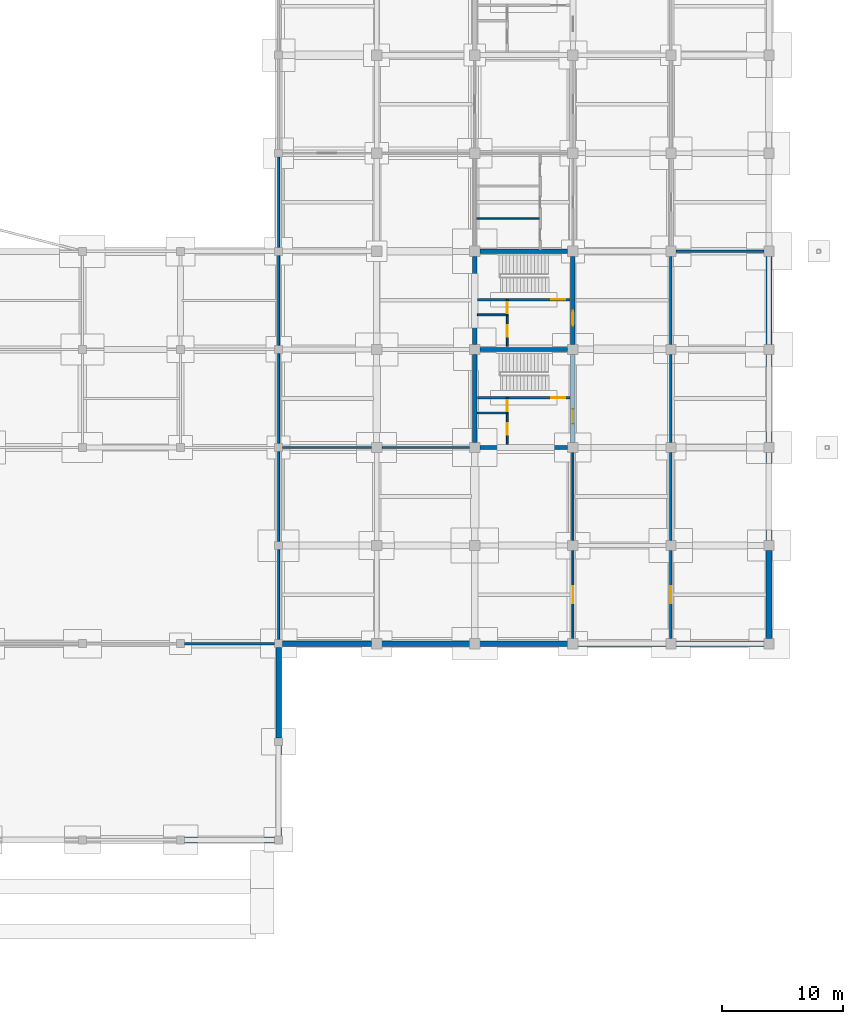
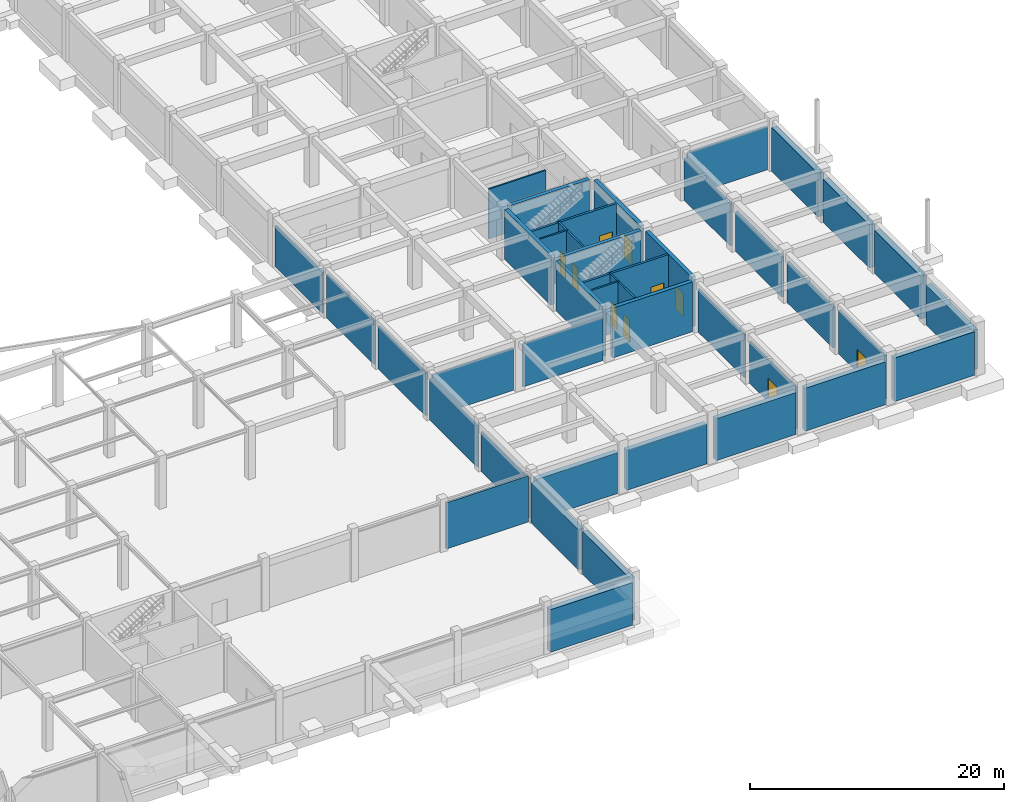
# One storey, part 51 of 67: 43 walls, 10 doors, 10 openings.
"""IFC4 building model written with IfcOpenShell, lengths in metres."""

from ifc_helpers import new_model, si_unit, direction, frame, frame_2d, origin, place, context, subcontext, project, spatial, rectangle, extrude, material, layer, layer_set, type_object, element, fill, save


model = new_model("IFC4")

# Units and contexts
model_context = context("Model", 3, precision=1e-05, world=origin(), true_north=direction((0.0, 1.0)))
body_context = subcontext(model_context, "Body", "Model", "MODEL_VIEW")
ifc_project = project(units=[si_unit("LENGTHUNIT", "METRE"), si_unit("AREAUNIT", "SQUARE_METRE"), si_unit("VOLUMEUNIT", "CUBIC_METRE"), si_unit("PLANEANGLEUNIT", "RADIAN"), si_unit("MASSUNIT", "GRAM", prefix="KILO")], contexts=[model_context])

# Site, building, storey
site_placement = place(None, origin())
site = spatial("IfcSite", under=ifc_project, at=site_placement, CompositionType="ELEMENT")
building_placement = place(site_placement, origin())
building = spatial("IfcBuilding", under=site, at=building_placement, Name="Vaudrelin Polytechnic", CompositionType="ELEMENT")
storey_placement = place(building_placement, frame((0.0, 0.0, -5.10009765625)))
storey = spatial("IfcBuildingStorey", under=building, at=storey_placement, Name="B1", CompositionType="ELEMENT", Elevation=-5.10009765625)

# Wall
ifc_material_1 = material(Name="Concrete masonry unit 20 MPa shaft & corridor fire wall", Category="masonry")
ifc_layer_1 = layer(ifc_material_1, 0.199951171875)
ifc_layer_set_1 = layer_set([ifc_layer_1], Name="Concrete masonry unit 20 MPa shaft & corridor fire wall")
wall_type_1 = type_object("IfcWallType", Name="WAL-PW-FIRE120", PredefinedType="PARTITIONING", material=ifc_layer_set_1)
wall_1_placement = place(storey_placement, frame((121.822998046875, 16.199951171875, 0.0), z_axis=(0.0, 0.0, 1.0), x_axis=(1.0, 0.0, 0.0)))
element("IfcWall", 1, at=wall_1_placement, inside=storey, type_object=wall_type_1, Name="Partition B1-018 N", PredefinedType="PARTITIONING", context=body_context, shape_type="SweptSolid", body=[
    extrude(rectangle(XDim=7.4541015625, YDim=0.199951171875, at=frame_2d((3.72705078125, 0.0))), origin(), (0.0, 0.0, 1.0), 4.425048828125),
])

# Wall, opening, door
wall_2_placement = place(storey_placement, frame((162.0, 16.623046875, 0.0), z_axis=(0.0, 0.0, 1.0), x_axis=(0.0, 1.0, 0.0)))
wall_2 = element("IfcWall", 2, at=wall_2_placement, inside=storey, type_object=wall_type_1, Name="Partition B1-026 W", PredefinedType="PARTITIONING", context=body_context, shape_type="SweptSolid", body=[
    extrude(rectangle(XDim=7.25390625, YDim=0.199951171875, at=frame_2d((3.626953125, 0.0))), origin(), (0.0, 0.0, 1.0), 4.18212890625),
])
opening_1_placement = place(wall_2_placement, frame((2.927001953125, 0.0, 0.0)))
opening_1 = element("IfcOpeningElement", 3, at=opening_1_placement, cuts=wall_2, Name="Opening D-B1-412", PredefinedType="OPENING", context=body_context, shape_type="SweptSolid", body=[
    extrude(rectangle(XDim=1.39990234375, YDim=2.199951171875, at=frame_2d((0.699951171875, 1.10009765625))), frame((0.0, 0.10986328125, 0.0), z_axis=(0.0, -1.0, 0.0), x_axis=(1.0, 0.0, 0.0)), (0.0, 0.0, 1.0), 0.219970703125),
])
ifc_material_2 = material(Name="Pressed galvanised steel acoustic leaf", Category="steel")
door_type_1 = type_object("IfcDoorType", Name="DOR-ID-PLT1", OperationType="NOTDEFINED", PredefinedType="DOOR", material=ifc_material_2)
door_1_placement = place(opening_1_placement, origin())
door_1 = element("IfcDoor", 4, at=door_1_placement, inside=storey, type_object=door_type_1, Name="Central Laboratory Gas and Reagent Store door B1-026", OperationType="DOUBLE_SWING_LEFT", OverallHeight=2.199951171875, OverallWidth=1.39990234375, PredefinedType="DOOR", context=body_context, shape_type="SweptSolid", body=[
    extrude(rectangle(XDim=1.39990234375, YDim=2.199951171875, at=frame_2d((0.699951171875, 1.10009765625))), frame((0.0, 0.02490234375, 0.0), z_axis=(0.0, -1.0, 0.0), x_axis=(1.0, 0.0, 0.0)), (0.0, 0.0, 1.0), 0.050048828125),
])
fill(opening_1, door_1)

# Walls
wall_3_placement = place(storey_placement, frame((162.0, 24.722900390625, 0.0), z_axis=(0.0, 0.0, 1.0), x_axis=(0.0, 1.0, 0.0)))
element("IfcWall", 5, at=wall_3_placement, inside=storey, type_object=wall_type_1, Name="Partition B1-026 W", PredefinedType="PARTITIONING", context=body_context, shape_type="SweptSolid", body=[
    extrude(rectangle(XDim=7.254150390625, YDim=0.199951171875, at=frame_2d((3.626953125, 0.0))), origin(), (0.0, 0.0, 1.0), 3.93212890625),
])
wall_4_placement = place(storey_placement, frame((162.0, 32.822998046875, 0.0), z_axis=(0.0, 0.0, 1.0), x_axis=(0.0, 1.0, 0.0)))
element("IfcWall", 6, at=wall_4_placement, inside=storey, type_object=wall_type_1, Name="Partition B1-026 W", PredefinedType="PARTITIONING", context=body_context, shape_type="SweptSolid", body=[
    extrude(rectangle(XDim=7.25390625, YDim=0.199951171875, at=frame_2d((3.626953125, 0.0))), origin(), (0.0, 0.0, 1.0), 3.83203125),
])
wall_5_placement = place(storey_placement, frame((162.0, 40.923095703125, 0.0), z_axis=(0.0, 0.0, 1.0), x_axis=(0.0, 1.0, 0.0)))
element("IfcWall", 7, at=wall_5_placement, inside=storey, type_object=wall_type_1, Name="Partition B1-026 W", PredefinedType="PARTITIONING", context=body_context, shape_type="SweptSolid", body=[
    extrude(rectangle(XDim=7.25390625, YDim=0.199951171875, at=frame_2d((3.626953125, 0.0))), origin(), (0.0, 0.0, 1.0), 4.031982421875),
])
wall_6_placement = place(storey_placement, frame((162.423095703125, 48.60009765625, 0.0), z_axis=(0.0, 0.0, 1.0), x_axis=(1.0, 0.0, 0.0)))
element("IfcWall", 8, at=wall_6_placement, inside=storey, type_object=wall_type_1, Name="Partition B1-026 N", PredefinedType="PARTITIONING", context=body_context, shape_type="SweptSolid", body=[
    extrude(rectangle(XDim=7.25390625, YDim=0.199951171875, at=frame_2d((3.626953125, 0.0))), origin(), (0.0, 0.0, 1.0), 4.132080078125),
])

# Wall, opening, door
ifc_material_3 = material(Name="Fire-rated steel-stud gypsum compartment wall", Category="steel")
ifc_layer_2 = layer(ifc_material_3, 0.14990234375)
ifc_layer_set_2 = layer_set([ifc_layer_2], Name="Fire-rated steel-stud gypsum compartment wall")
wall_type_2 = type_object("IfcWallType", Name="WAL-PW-FIRE60", PredefinedType="PARTITIONING", material=ifc_layer_set_2)
wall_7_placement = place(storey_placement, frame((148.47998046875, 35.25, 0.0), z_axis=(0.0, 0.0, 1.0), x_axis=(0.0, 1.0, 0.0)))
wall_7 = element("IfcWall", 9, at=wall_7_placement, inside=storey, type_object=wall_type_2, Name="Core C8 riser enclosure wall B1", PredefinedType="PARTITIONING", context=body_context, shape_type="SweptSolid", body=[
    extrude(rectangle(XDim=1.260009765625, YDim=0.14990234375, at=frame_2d((0.6298828125, 0.0))), origin(), (0.0, 0.0, 1.0), 4.781982421875),
])
opening_2_placement = place(wall_7_placement, frame((0.139892578125, 0.0, 0.0)))
opening_2 = element("IfcOpeningElement", 10, at=opening_2_placement, cuts=wall_7, Name="Opening D-B1-140", PredefinedType="OPENING", context=body_context, shape_type="SweptSolid", body=[
    extrude(rectangle(XDim=0.89990234375, YDim=2.14990234375, at=frame_2d((0.449951171875, 1.074951171875))), frame((0.0, 0.0849609375, 0.0), z_axis=(0.0, -1.0, 0.0), x_axis=(1.0, 0.0, 0.0)), (0.0, 0.0, 1.0), 0.169921875),
])
door_type_2 = type_object("IfcDoorType", Name="DOR-ID-RSR1", OperationType="NOTDEFINED", PredefinedType="DOOR", material=ifc_material_2)
door_2_placement = place(opening_2_placement, origin())
door_2 = element("IfcDoor", 11, at=door_2_placement, inside=storey, type_object=door_type_2, Name="Core C8 riser access door B1", OperationType="SINGLE_SWING_RIGHT", OverallHeight=2.14990234375, OverallWidth=0.89990234375, PredefinedType="DOOR", context=body_context, shape_type="SweptSolid", body=[
    extrude(rectangle(XDim=0.89990234375, YDim=2.14990234375, at=frame_2d((0.449951171875, 1.074951171875))), frame((0.0, 0.02490234375, 0.0), z_axis=(0.0, -1.0, 0.0), x_axis=(1.0, 0.0, 0.0)), (0.0, 0.0, 1.0), 0.050048828125),
])
fill(opening_2, door_2)

# Wall
wall_8_placement = place(storey_placement, frame((146.02001953125, 35.25, 0.0), z_axis=(0.0, 0.0, 1.0), x_axis=(1.0, 0.0, 0.0)))
element("IfcWall", 12, at=wall_8_placement, inside=storey, type_object=wall_type_2, Name="Core C8 riser south fire wall B1", PredefinedType="PARTITIONING", context=body_context, shape_type="SweptSolid", body=[
    extrude(rectangle(XDim=2.530029296875, YDim=0.14990234375, at=frame_2d((1.26513671875, 0.0))), origin(), (0.0, 0.0, 1.0), 4.781982421875),
])

# Wall, opening, door
wall_9_placement = place(storey_placement, frame((148.47998046875, 32.64990234375, 0.0), z_axis=(0.0, 0.0, 1.0), x_axis=(0.0, 1.0, 0.0)))
wall_9 = element("IfcWall", 13, at=wall_9_placement, inside=storey, type_object=wall_type_2, Name="Core C8 custodial enclosure wall B1", PredefinedType="PARTITIONING", context=body_context, shape_type="SweptSolid", body=[
    extrude(rectangle(XDim=2.60009765625, YDim=0.14990234375, at=frame_2d((1.300048828125, 0.0))), origin(), (0.0, 0.0, 1.0), 4.781982421875),
])
opening_3_placement = place(wall_9_placement, frame((0.800048828125, 0.0, 0.0)))
opening_3 = element("IfcOpeningElement", 14, at=opening_3_placement, cuts=wall_9, Name="Opening D-B1-141", PredefinedType="OPENING", context=body_context, shape_type="SweptSolid", body=[
    extrude(rectangle(XDim=0.949951171875, YDim=2.14990234375, at=frame_2d((0.47509765625, 1.074951171875))), frame((0.0, 0.0849609375, 0.0), z_axis=(0.0, -1.0, 0.0), x_axis=(1.0, 0.0, 0.0)), (0.0, 0.0, 1.0), 0.169921875),
])
door_type_3 = type_object("IfcDoorType", Name="DOR-ID-STR1", OperationType="NOTDEFINED", PredefinedType="DOOR", material=ifc_material_2)
door_3_placement = place(opening_3_placement, origin())
door_3 = element("IfcDoor", 15, at=door_3_placement, inside=storey, type_object=door_type_3, Name="Core C8 custodial door B1", OperationType="SINGLE_SWING_RIGHT", OverallHeight=2.14990234375, OverallWidth=0.949951171875, PredefinedType="DOOR", context=body_context, shape_type="SweptSolid", body=[
    extrude(rectangle(XDim=0.949951171875, YDim=2.14990234375, at=frame_2d((0.47509765625, 1.074951171875))), frame((0.0, 0.02490234375, 0.0), z_axis=(0.0, -1.0, 0.0), x_axis=(1.0, 0.0, 0.0)), (0.0, 0.0, 1.0), 0.050048828125),
])
fill(opening_3, door_3)

wall_10_placement = place(storey_placement, frame((148.47998046875, 43.35009765625, 0.0), z_axis=(0.0, 0.0, 1.0), x_axis=(0.0, 1.0, 0.0)))
wall_10 = element("IfcWall", 16, at=wall_10_placement, inside=storey, type_object=wall_type_2, Name="Core C12 riser enclosure wall B1", PredefinedType="PARTITIONING", context=body_context, shape_type="SweptSolid", body=[
    extrude(rectangle(XDim=1.260009765625, YDim=0.14990234375, at=frame_2d((0.6298828125, 0.0))), origin(), (0.0, 0.0, 1.0), 4.781982421875),
])
opening_4_placement = place(wall_10_placement, frame((0.139892578125, 0.0, 0.0)))
opening_4 = element("IfcOpeningElement", 17, at=opening_4_placement, cuts=wall_10, Name="Opening D-B1-263", PredefinedType="OPENING", context=body_context, shape_type="SweptSolid", body=[
    extrude(rectangle(XDim=0.89990234375, YDim=2.14990234375, at=frame_2d((0.449951171875, 1.074951171875))), frame((0.0, 0.0849609375, 0.0), z_axis=(0.0, -1.0, 0.0), x_axis=(1.0, 0.0, 0.0)), (0.0, 0.0, 1.0), 0.169921875),
])
door_4_placement = place(opening_4_placement, origin())
door_4 = element("IfcDoor", 18, at=door_4_placement, inside=storey, type_object=door_type_2, Name="Core C12 riser access door B1", OperationType="SINGLE_SWING_RIGHT", OverallHeight=2.14990234375, OverallWidth=0.89990234375, PredefinedType="DOOR", context=body_context, shape_type="SweptSolid", body=[
    extrude(rectangle(XDim=0.89990234375, YDim=2.14990234375, at=frame_2d((0.449951171875, 1.074951171875))), frame((0.0, 0.02490234375, 0.0), z_axis=(0.0, -1.0, 0.0), x_axis=(1.0, 0.0, 0.0)), (0.0, 0.0, 1.0), 0.050048828125),
])
fill(opening_4, door_4)

# Wall
wall_11_placement = place(storey_placement, frame((146.02001953125, 43.35009765625, 0.0), z_axis=(0.0, 0.0, 1.0), x_axis=(1.0, 0.0, 0.0)))
element("IfcWall", 19, at=wall_11_placement, inside=storey, type_object=wall_type_2, Name="Core C12 riser south fire wall B1", PredefinedType="PARTITIONING", context=body_context, shape_type="SweptSolid", body=[
    extrude(rectangle(XDim=2.530029296875, YDim=0.14990234375, at=frame_2d((1.26513671875, 0.0))), origin(), (0.0, 0.0, 1.0), 4.781982421875),
])

# Wall, opening, door
wall_12_placement = place(storey_placement, frame((148.47998046875, 40.75, 0.0), z_axis=(0.0, 0.0, 1.0), x_axis=(0.0, 1.0, 0.0)))
wall_12 = element("IfcWall", 20, at=wall_12_placement, inside=storey, type_object=wall_type_2, Name="Core C12 custodial enclosure wall B1", PredefinedType="PARTITIONING", context=body_context, shape_type="SweptSolid", body=[
    extrude(rectangle(XDim=2.60009765625, YDim=0.14990234375, at=frame_2d((1.300048828125, 0.0))), origin(), (0.0, 0.0, 1.0), 4.781982421875),
])
opening_5_placement = place(wall_12_placement, frame((0.800048828125, 0.0, 0.0)))
opening_5 = element("IfcOpeningElement", 21, at=opening_5_placement, cuts=wall_12, Name="Opening D-B1-264", PredefinedType="OPENING", context=body_context, shape_type="SweptSolid", body=[
    extrude(rectangle(XDim=0.949951171875, YDim=2.14990234375, at=frame_2d((0.47509765625, 1.074951171875))), frame((0.0, 0.0849609375, 0.0), z_axis=(0.0, -1.0, 0.0), x_axis=(1.0, 0.0, 0.0)), (0.0, 0.0, 1.0), 0.169921875),
])
door_5_placement = place(opening_5_placement, origin())
door_5 = element("IfcDoor", 22, at=door_5_placement, inside=storey, type_object=door_type_3, Name="Core C12 custodial door B1", OperationType="SINGLE_SWING_RIGHT", OverallHeight=2.14990234375, OverallWidth=0.949951171875, PredefinedType="DOOR", context=body_context, shape_type="SweptSolid", body=[
    extrude(rectangle(XDim=0.949951171875, YDim=2.14990234375, at=frame_2d((0.47509765625, 1.074951171875))), frame((0.0, 0.02490234375, 0.0), z_axis=(0.0, -1.0, 0.0), x_axis=(1.0, 0.0, 0.0)), (0.0, 0.0, 1.0), 0.050048828125),
])
fill(opening_5, door_5)

ifc_material_4 = material(Name="Moisture- and chemical-resistant laboratory partition", Category="gypsum")
ifc_layer_3 = layer(ifc_material_4, 0.159912109375)
ifc_layer_set_3 = layer_set([ifc_layer_3], Name="Moisture- and chemical-resistant laboratory partition")
wall_type_3 = type_object("IfcWallType", Name="WAL-PW-LAB160", PredefinedType="PARTITIONING", material=ifc_layer_set_3)
wall_13_placement = place(storey_placement, frame((153.89990234375, 16.623046875, 0.0), z_axis=(0.0, 0.0, 1.0), x_axis=(0.0, 1.0, 0.0)))
wall_13 = element("IfcWall", 23, at=wall_13_placement, inside=storey, type_object=wall_type_3, Name="Partition B1-019 E", PredefinedType="PARTITIONING", context=body_context, shape_type="SweptSolid", body=[
    extrude(rectangle(XDim=7.25390625, YDim=0.159912109375, at=frame_2d((3.626953125, 0.0))), origin(), (0.0, 0.0, 1.0), 4.031982421875),
])
opening_6_placement = place(wall_13_placement, frame((2.9169921875, 0.0, 0.0)))
opening_6 = element("IfcOpeningElement", 24, at=opening_6_placement, cuts=wall_13, Name="Opening D-B1-406", PredefinedType="OPENING", context=body_context, shape_type="SweptSolid", body=[
    extrude(rectangle(XDim=1.419921875, YDim=2.25, at=frame_2d((0.7099609375, 1.125))), frame((0.0, 0.08984375, 0.0), z_axis=(0.0, -1.0, 0.0), x_axis=(1.0, 0.0, 0.0)), (0.0, 0.0, 1.0), 0.179931640625),
])
door_type_4 = type_object("IfcDoorType", Name="DOR-ID-LAB4", OperationType="NOTDEFINED", PredefinedType="DOOR", material=ifc_material_2)
door_6_placement = place(opening_6_placement, origin())
door_6 = element("IfcDoor", 25, at=door_6_placement, inside=storey, type_object=door_type_4, Name="Hydraulic Flume Basement Basin Laboratory door B1-019", OperationType="DOUBLE_SWING_LEFT", OverallHeight=2.25, OverallWidth=1.419921875, PredefinedType="DOOR", context=body_context, shape_type="SweptSolid", body=[
    extrude(rectangle(XDim=1.419921875, YDim=2.25, at=frame_2d((0.7099609375, 1.125))), frame((0.0, 0.02490234375, 0.0), z_axis=(0.0, -1.0, 0.0), x_axis=(1.0, 0.0, 0.0)), (0.0, 0.0, 1.0), 0.050048828125),
])
fill(opening_6, door_6)

# Walls
wall_14_placement = place(storey_placement, frame((153.89990234375, 24.722900390625, 0.0), z_axis=(0.0, 0.0, 1.0), x_axis=(0.0, 1.0, 0.0)))
element("IfcWall", 26, at=wall_14_placement, inside=storey, type_object=wall_type_3, Name="Partition B1-019 E", PredefinedType="PARTITIONING", context=body_context, shape_type="SweptSolid", body=[
    extrude(rectangle(XDim=7.254150390625, YDim=0.159912109375, at=frame_2d((3.626953125, 0.0))), origin(), (0.0, 0.0, 1.0), 4.132080078125),
])
wall_15_placement = place(storey_placement, frame((129.923095703125, 32.39990234375, 0.0), z_axis=(0.0, 0.0, 1.0), x_axis=(1.0, 0.0, 0.0)))
element("IfcWall", 27, at=wall_15_placement, inside=storey, type_object=wall_type_3, Name="Partition B1-019 N", PredefinedType="PARTITIONING", context=body_context, shape_type="SweptSolid", body=[
    extrude(rectangle(XDim=7.35400390625, YDim=0.159912109375, at=frame_2d((3.677001953125, 0.0))), origin(), (0.0, 0.0, 1.0), 4.031982421875),
])
wall_16_placement = place(storey_placement, frame((138.123046875, 32.39990234375, 0.0), z_axis=(0.0, 0.0, 1.0), x_axis=(1.0, 0.0, 0.0)))
element("IfcWall", 28, at=wall_16_placement, inside=storey, type_object=wall_type_3, Name="Partition B1-019 N", PredefinedType="PARTITIONING", context=body_context, shape_type="SweptSolid", body=[
    extrude(rectangle(XDim=7.25390625, YDim=0.159912109375, at=frame_2d((3.626953125, 0.0))), origin(), (0.0, 0.0, 1.0), 4.132080078125),
])
wall_17_placement = place(storey_placement, frame((129.60009765625, 16.52294921875, 0.0), z_axis=(0.0, 0.0, 1.0), x_axis=(0.0, 1.0, 0.0)))
element("IfcWall", 29, at=wall_17_placement, inside=storey, type_object=wall_type_3, Name="Partition B1-019 W", PredefinedType="PARTITIONING", context=body_context, shape_type="SweptSolid", body=[
    extrude(rectangle(XDim=7.4541015625, YDim=0.159912109375, at=frame_2d((3.72705078125, 0.0))), origin(), (0.0, 0.0, 1.0), 3.7919921875),
])
wall_18_placement = place(storey_placement, frame((129.60009765625, 24.623046875, 0.0), z_axis=(0.0, 0.0, 1.0), x_axis=(0.0, 1.0, 0.0)))
element("IfcWall", 30, at=wall_18_placement, inside=storey, type_object=wall_type_3, Name="Partition B1-019 W", PredefinedType="PARTITIONING", context=body_context, shape_type="SweptSolid", body=[
    extrude(rectangle(XDim=7.453857421875, YDim=0.159912109375, at=frame_2d((3.72705078125, 0.0))), origin(), (0.0, 0.0, 1.0), 3.9921875),
])
wall_19_placement = place(storey_placement, frame((129.60009765625, 32.722900390625, 0.0), z_axis=(0.0, 0.0, 1.0), x_axis=(0.0, 1.0, 0.0)))
element("IfcWall", 31, at=wall_19_placement, inside=storey, type_object=wall_type_3, Name="Partition B1-020 W", PredefinedType="PARTITIONING", context=body_context, shape_type="SweptSolid", body=[
    extrude(rectangle(XDim=7.4541015625, YDim=0.159912109375, at=frame_2d((3.72705078125, 0.0))), origin(), (0.0, 0.0, 1.0), 4.132080078125),
])
wall_20_placement = place(storey_placement, frame((129.60009765625, 40.822998046875, 0.0), z_axis=(0.0, 0.0, 1.0), x_axis=(0.0, 1.0, 0.0)))
element("IfcWall", 32, at=wall_20_placement, inside=storey, type_object=wall_type_3, Name="Partition B1-020 W", PredefinedType="PARTITIONING", context=body_context, shape_type="SweptSolid", body=[
    extrude(rectangle(XDim=7.4541015625, YDim=0.159912109375, at=frame_2d((3.72705078125, 0.0))), origin(), (0.0, 0.0, 1.0), 4.18212890625),
])
wall_21_placement = place(storey_placement, frame((129.60009765625, 48.923095703125, 0.0), z_axis=(0.0, 0.0, 1.0), x_axis=(0.0, 1.0, 0.0)))
element("IfcWall", 33, at=wall_21_placement, inside=storey, type_object=wall_type_3, Name="Partition B1-020 W", PredefinedType="PARTITIONING", context=body_context, shape_type="SweptSolid", body=[
    extrude(rectangle(XDim=7.453857421875, YDim=0.159912109375, at=frame_2d((3.72705078125, 0.0))), origin(), (0.0, 0.0, 1.0), 3.93212890625),
])
ifc_material_5 = material(Name="Cement-board tiled wet-wall washroom partition", Category="gypsum")
ifc_layer_4 = layer(ifc_material_5, 0.139892578125)
ifc_layer_set_4 = layer_set([ifc_layer_4], Name="Cement-board tiled wet-wall washroom partition")
wall_type_4 = type_object("IfcWallType", Name="WAL-PW-WC140", PredefinedType="PARTITIONING", material=ifc_layer_set_4)
wall_22_placement = place(storey_placement, frame((145.949951171875, 51.300048828125, 0.0), z_axis=(0.0, 0.0, 1.0), x_axis=(1.0, 0.0, 0.0)))
element("IfcWall", 34, at=wall_22_placement, inside=storey, type_object=wall_type_4, Name="Washroom separation wall B1-18-6-1", PredefinedType="PARTITIONING", context=body_context, shape_type="SweptSolid", body=[
    extrude(rectangle(XDim=5.179931640625, YDim=0.139892578125, at=frame_2d((2.58984375, 0.0))), origin(), (0.0, 0.0, 1.0), 4.781982421875),
])

# Wall, opening, door
ifc_material_6 = material(Name="Concrete 40 MPa", Category="concrete")
ifc_layer_5 = layer(ifc_material_6, 0.199951171875)
ifc_layer_set_5 = layer_set([ifc_layer_5], Name="Concrete 40 MPa")
wall_type_5 = type_object("IfcWallType", Name="WAL-SW-CORE200", PredefinedType="SHEAR", material=ifc_layer_set_5)
wall_23_placement = place(storey_placement, frame((146.02001953125, 36.510009765625, 0.0), z_axis=(0.0, 0.0, 1.0), x_axis=(1.0, 0.0, 0.0)))
wall_23 = element("IfcWall", 35, at=wall_23_placement, inside=storey, type_object=wall_type_5, Name="Core C8 stair enclosure wall B1", PredefinedType="SHEAR", context=body_context, shape_type="SweptSolid", body=[
    extrude(rectangle(XDim=7.659912109375, YDim=0.199951171875, at=frame_2d((3.830078125, 0.0))), origin(), (0.0, 0.0, 1.0), 4.781982421875),
])
opening_7_placement = place(wall_23_placement, frame((6.110107421875, 0.0, 0.0)))
opening_7 = element("IfcOpeningElement", 36, at=opening_7_placement, cuts=wall_23, Name="Opening D-B1-139", PredefinedType="OPENING", context=body_context, shape_type="SweptSolid", body=[
    extrude(rectangle(XDim=1.14990234375, YDim=2.199951171875, at=frame_2d((0.574951171875, 1.10009765625))), frame((0.0, 0.10986328125, 0.0), z_axis=(0.0, -1.0, 0.0), x_axis=(1.0, 0.0, 0.0)), (0.0, 0.0, 1.0), 0.219970703125),
])
door_type_5 = type_object("IfcDoorType", Name="DOR-ID-ST1", OperationType="NOTDEFINED", PredefinedType="DOOR", material=ifc_material_2)
door_7_placement = place(opening_7_placement, origin())
door_7 = element("IfcDoor", 37, at=door_7_placement, inside=storey, type_object=door_type_5, Name="Core C8 exit stair door B1", OperationType="SINGLE_SWING_LEFT", OverallHeight=2.199951171875, OverallWidth=1.14990234375, PredefinedType="DOOR", context=body_context, shape_type="SweptSolid", body=[
    extrude(rectangle(XDim=1.14990234375, YDim=2.199951171875, at=frame_2d((0.574951171875, 1.10009765625))), frame((0.0, 0.02490234375, 0.0), z_axis=(0.0, -1.0, 0.0), x_axis=(1.0, 0.0, 0.0)), (0.0, 0.0, 1.0), 0.050048828125),
])
fill(opening_7, door_7)

wall_24_placement = place(storey_placement, frame((146.02001953125, 44.610107421875, 0.0), z_axis=(0.0, 0.0, 1.0), x_axis=(1.0, 0.0, 0.0)))
wall_24 = element("IfcWall", 38, at=wall_24_placement, inside=storey, type_object=wall_type_5, Name="Core C12 stair enclosure wall B1", PredefinedType="SHEAR", context=body_context, shape_type="SweptSolid", body=[
    extrude(rectangle(XDim=7.659912109375, YDim=0.199951171875, at=frame_2d((3.830078125, 0.0))), origin(), (0.0, 0.0, 1.0), 4.781982421875),
])
opening_8_placement = place(wall_24_placement, frame((6.110107421875, 0.0, 0.0)))
opening_8 = element("IfcOpeningElement", 39, at=opening_8_placement, cuts=wall_24, Name="Opening D-B1-262", PredefinedType="OPENING", context=body_context, shape_type="SweptSolid", body=[
    extrude(rectangle(XDim=1.14990234375, YDim=2.199951171875, at=frame_2d((0.574951171875, 1.10009765625))), frame((0.0, 0.10986328125, 0.0), z_axis=(0.0, -1.0, 0.0), x_axis=(1.0, 0.0, 0.0)), (0.0, 0.0, 1.0), 0.219970703125),
])
door_8_placement = place(opening_8_placement, origin())
door_8 = element("IfcDoor", 40, at=door_8_placement, inside=storey, type_object=door_type_5, Name="Core C12 exit stair door B1", OperationType="SINGLE_SWING_LEFT", OverallHeight=2.199951171875, OverallWidth=1.14990234375, PredefinedType="DOOR", context=body_context, shape_type="SweptSolid", body=[
    extrude(rectangle(XDim=1.14990234375, YDim=2.199951171875, at=frame_2d((0.574951171875, 1.10009765625))), frame((0.0, 0.02490234375, 0.0), z_axis=(0.0, -1.0, 0.0), x_axis=(1.0, 0.0, 0.0)), (0.0, 0.0, 1.0), 0.050048828125),
])
fill(opening_8, door_8)

# Walls
ifc_material_7 = material(Name="Concrete 50 MPa", Category="concrete")
ifc_layer_6 = layer(ifc_material_7, 0.35009765625)
ifc_layer_set_6 = layer_set([ifc_layer_6], Name="Concrete 50 MPa")
wall_type_6 = type_object("IfcWallType", Name="WAL-SW-CORE350", PredefinedType="SHEAR", material=ifc_layer_set_6)
wall_25_placement = place(storey_placement, frame((146.222900390625, 40.5, 0.0), z_axis=(0.0, 0.0, 1.0), x_axis=(1.0, 0.0, 0.0)))
element("IfcWall", 41, at=wall_25_placement, inside=storey, type_object=wall_type_6, Name="Core C8 N shear wall B1", PredefinedType="SHEAR", context=body_context, shape_type="SweptSolid", body=[
    extrude(rectangle(XDim=7.254150390625, YDim=0.35009765625, at=frame_2d((3.626953125, 0.0))), origin(), (0.0, 0.0, 1.0), 4.781982421875),
])
wall_26_placement = place(storey_placement, frame((145.800048828125, 32.822998046875, 0.0), z_axis=(0.0, 0.0, 1.0), x_axis=(0.0, 1.0, 0.0)))
element("IfcWall", 42, at=wall_26_placement, inside=storey, type_object=wall_type_6, Name="Core C8 W shear wall B1", PredefinedType="SHEAR", context=body_context, shape_type="SweptSolid", body=[
    extrude(rectangle(XDim=7.25390625, YDim=0.35009765625, at=frame_2d((3.626953125, 0.0))), origin(), (0.0, 0.0, 1.0), 4.781982421875),
])

# Wall, opening, door
wall_27_placement = place(storey_placement, frame((153.89990234375, 32.822998046875, 0.0), z_axis=(0.0, 0.0, 1.0), x_axis=(0.0, 1.0, 0.0)))
wall_27 = element("IfcWall", 43, at=wall_27_placement, inside=storey, type_object=wall_type_6, Name="Core C8 E shear wall B1", PredefinedType="SHEAR", context=body_context, shape_type="SweptSolid", body=[
    extrude(rectangle(XDim=7.25390625, YDim=0.35009765625, at=frame_2d((3.626953125, 0.0))), origin(), (0.0, 0.0, 1.0), 4.781982421875),
])
opening_9_placement = place(wall_27_placement, frame((1.550048828125, 0.0, 0.0)))
opening_9 = element("IfcOpeningElement", 44, at=opening_9_placement, cuts=wall_27, Name="Opening D-B1-138", PredefinedType="OPENING", context=body_context, shape_type="SweptSolid", body=[
    extrude(rectangle(XDim=1.199951171875, YDim=2.199951171875, at=frame_2d((0.60009765625, 1.10009765625))), frame((0.0, 0.18505859375, 0.0), z_axis=(0.0, -1.0, 0.0), x_axis=(1.0, 0.0, 0.0)), (0.0, 0.0, 1.0), 0.3701171875),
])
door_type_6 = type_object("IfcDoorType", Name="DOR-ID-LB1", OperationType="NOTDEFINED", PredefinedType="DOOR", material=ifc_material_2)
door_9_placement = place(opening_9_placement, origin())
door_9 = element("IfcDoor", 45, at=door_9_placement, inside=storey, type_object=door_type_6, Name="Core C8 lobby fire door B1", OperationType="SINGLE_SWING_RIGHT", OverallHeight=2.199951171875, OverallWidth=1.199951171875, PredefinedType="DOOR", context=body_context, shape_type="SweptSolid", body=[
    extrude(rectangle(XDim=1.199951171875, YDim=2.199951171875, at=frame_2d((0.60009765625, 1.10009765625))), frame((0.0, 0.02490234375, 0.0), z_axis=(0.0, -1.0, 0.0), x_axis=(1.0, 0.0, 0.0)), (0.0, 0.0, 1.0), 0.050048828125),
])
fill(opening_9, door_9)

# Walls
for number, where, z_axis, x_axis, name in (
    (46, (146.222900390625, 32.39990234375, 0.0), (0.0, 0.0, 1.0), (1.0, 0.0, 0.0), "Core C8 S shear wall B1"),
    (47, (146.222900390625, 48.60009765625, 0.0), (0.0, 0.0, 1.0), (1.0, 0.0, 0.0), "Core C12 N shear wall B1"),
):
    element("IfcWall", number, at=place(storey_placement, frame(where, z_axis=z_axis, x_axis=x_axis)), inside=storey, type_object=wall_type_6, Name=name, PredefinedType="SHEAR", context=body_context, shape_type="SweptSolid", body=[
        extrude(rectangle(XDim=7.254150390625, YDim=0.35009765625, at=frame_2d((3.626953125, 0.0))), origin(), (0.0, 0.0, 1.0), 4.781982421875),
    ])
wall_28_placement = place(storey_placement, frame((145.800048828125, 40.923095703125, 0.0), z_axis=(0.0, 0.0, 1.0), x_axis=(0.0, 1.0, 0.0)))
element("IfcWall", 48, at=wall_28_placement, inside=storey, type_object=wall_type_6, Name="Core C12 W shear wall B1", PredefinedType="SHEAR", context=body_context, shape_type="SweptSolid", body=[
    extrude(rectangle(XDim=7.25390625, YDim=0.35009765625, at=frame_2d((3.626953125, 0.0))), origin(), (0.0, 0.0, 1.0), 4.781982421875),
])

# Wall, opening, door
wall_29_placement = place(storey_placement, frame((153.89990234375, 40.923095703125, 0.0), z_axis=(0.0, 0.0, 1.0), x_axis=(0.0, 1.0, 0.0)))
wall_29 = element("IfcWall", 49, at=wall_29_placement, inside=storey, type_object=wall_type_6, Name="Core C12 E shear wall B1", PredefinedType="SHEAR", context=body_context, shape_type="SweptSolid", body=[
    extrude(rectangle(XDim=7.25390625, YDim=0.35009765625, at=frame_2d((3.626953125, 0.0))), origin(), (0.0, 0.0, 1.0), 4.781982421875),
])
opening_10_placement = place(wall_29_placement, frame((1.550048828125, 0.0, 0.0)))
opening_10 = element("IfcOpeningElement", 50, at=opening_10_placement, cuts=wall_29, Name="Opening D-B1-261", PredefinedType="OPENING", context=body_context, shape_type="SweptSolid", body=[
    extrude(rectangle(XDim=1.199951171875, YDim=2.199951171875, at=frame_2d((0.60009765625, 1.10009765625))), frame((0.0, 0.18505859375, 0.0), z_axis=(0.0, -1.0, 0.0), x_axis=(1.0, 0.0, 0.0)), (0.0, 0.0, 1.0), 0.3701171875),
])
door_10_placement = place(opening_10_placement, origin())
door_10 = element("IfcDoor", 51, at=door_10_placement, inside=storey, type_object=door_type_6, Name="Core C12 lobby fire door B1", OperationType="SINGLE_SWING_LEFT", OverallHeight=2.199951171875, OverallWidth=1.199951171875, PredefinedType="DOOR", context=body_context, shape_type="SweptSolid", body=[
    extrude(rectangle(XDim=1.199951171875, YDim=2.199951171875, at=frame_2d((0.60009765625, 1.10009765625))), frame((0.0, 0.02490234375, 0.0), z_axis=(0.0, -1.0, 0.0), x_axis=(1.0, 0.0, 0.0)), (0.0, 0.0, 1.0), 0.050048828125),
])
fill(opening_10, door_10)

# Walls
ifc_material_8 = material(Name="Concrete 35 MPa", Category="concrete")
ifc_layer_7 = layer(ifc_material_8, 0.449951171875)
ifc_layer_set_7 = layer_set([ifc_layer_7], Name="Concrete 35 MPa")
wall_type_7 = type_object("IfcWallType", Name="WAL-SW-RET450", PredefinedType="SOLIDWALL", material=ifc_layer_set_7)
wall_30_placement = place(storey_placement, frame((129.909912109375, 16.199951171875, 0.0), z_axis=(0.0, 0.0, 1.0), x_axis=(1.0, 0.0, 0.0)))
element("IfcWall", 52, at=wall_30_placement, inside=storey, type_object=wall_type_7, Name="Basement retaining wall RET-S-V4-1", PredefinedType="SOLIDWALL", context=body_context, shape_type="SweptSolid", body=[
    extrude(rectangle(XDim=7.380126953125, YDim=0.449951171875, at=frame_2d((3.68994140625, 0.0))), origin(), (0.0, 0.0, 1.0), 3.93017578125),
])
wall_31_placement = place(storey_placement, frame((138.110107421875, 16.199951171875, 0.0), z_axis=(0.0, 0.0, 1.0), x_axis=(1.0, 0.0, 0.0)))
element("IfcWall", 53, at=wall_31_placement, inside=storey, type_object=wall_type_7, Name="Basement retaining wall RET-S-V4-2", PredefinedType="SOLIDWALL", context=body_context, shape_type="SweptSolid", body=[
    extrude(rectangle(XDim=7.27978515625, YDim=0.449951171875, at=frame_2d((3.639892578125, 0.0))), origin(), (0.0, 0.0, 1.0), 3.830078125),
])
wall_32_placement = place(storey_placement, frame((146.2099609375, 16.199951171875, 0.0), z_axis=(0.0, 0.0, 1.0), x_axis=(1.0, 0.0, 0.0)))
element("IfcWall", 54, at=wall_32_placement, inside=storey, type_object=wall_type_7, Name="Basement retaining wall RET-S-V4-3", PredefinedType="SOLIDWALL", context=body_context, shape_type="SweptSolid", body=[
    extrude(rectangle(XDim=7.280029296875, YDim=0.449951171875, at=frame_2d((3.64013671875, 0.0))), origin(), (0.0, 0.0, 1.0), 4.030029296875),
])
wall_33_placement = place(storey_placement, frame((154.31005859375, 16.199951171875, 0.0), z_axis=(0.0, 0.0, 1.0), x_axis=(1.0, 0.0, 0.0)))
element("IfcWall", 55, at=wall_33_placement, inside=storey, type_object=wall_type_7, Name="Basement retaining wall RET-S-V4-4", PredefinedType="SOLIDWALL", context=body_context, shape_type="SweptSolid", body=[
    extrude(rectangle(XDim=7.280029296875, YDim=0.449951171875, at=frame_2d((3.64013671875, 0.0))), origin(), (0.0, 0.0, 1.0), 4.130126953125),
])
wall_34_placement = place(storey_placement, frame((162.409912109375, 16.199951171875, 0.0), z_axis=(0.0, 0.0, 1.0), x_axis=(1.0, 0.0, 0.0)))
element("IfcWall", 56, at=wall_34_placement, inside=storey, type_object=wall_type_7, Name="Basement retaining wall RET-S-V4-5", PredefinedType="SOLIDWALL", context=body_context, shape_type="SweptSolid", body=[
    extrude(rectangle(XDim=7.280029296875, YDim=0.449951171875, at=frame_2d((3.64013671875, 0.0))), origin(), (0.0, 0.0, 1.0), 4.18017578125),
])
wall_35_placement = place(storey_placement, frame((129.60009765625, 0.31005859375, 0.0), z_axis=(0.0, 0.0, 1.0), x_axis=(0.0, 1.0, 0.0)))
element("IfcWall", 57, at=wall_35_placement, inside=storey, type_object=wall_type_7, Name="Basement retaining wall RET-E-V3-1", PredefinedType="SOLIDWALL", context=body_context, shape_type="SweptSolid", body=[
    extrude(rectangle(XDim=7.47998046875, YDim=0.449951171875, at=frame_2d((3.739990234375, 0.0))), origin(), (0.0, 0.0, 1.0), 4.090087890625),
])
wall_36_placement = place(storey_placement, frame((129.60009765625, 8.409912109375, 0.0), z_axis=(0.0, 0.0, 1.0), x_axis=(0.0, 1.0, 0.0)))
element("IfcWall", 58, at=wall_36_placement, inside=storey, type_object=wall_type_7, Name="Basement retaining wall RET-E-V3-2", PredefinedType="SOLIDWALL", context=body_context, shape_type="SweptSolid", body=[
    extrude(rectangle(XDim=7.47998046875, YDim=0.449951171875, at=frame_2d((3.739990234375, 0.0))), origin(), (0.0, 0.0, 1.0), 3.89013671875),
])
ifc_layer_8 = layer(ifc_material_8, 0.5)
ifc_layer_set_8 = layer_set([ifc_layer_8], Name="Concrete 35 MPa")
wall_type_8 = type_object("IfcWallType", Name="WAL-SW-RET500", PredefinedType="SOLIDWALL", material=ifc_layer_set_8)
wall_37_placement = place(storey_placement, frame((170.10009765625, 16.610107421875, 0.0), z_axis=(0.0, 0.0, 1.0), x_axis=(0.0, 1.0, 0.0)))
element("IfcWall", 59, at=wall_37_placement, inside=storey, type_object=wall_type_8, Name="Basement retaining wall RET-E-V4-1", PredefinedType="SOLIDWALL", context=body_context, shape_type="SweptSolid", body=[
    extrude(rectangle(XDim=7.27978515625, YDim=0.5, at=frame_2d((3.639892578125, 0.0))), origin(), (0.0, 0.0, 1.0), 3.830078125),
])
for number, where, z_axis, x_axis, name in (
    (60, (170.10009765625, 24.7099609375, 0.0), (0.0, 0.0, 1.0), (0.0, 1.0, 0.0), "Basement retaining wall RET-E-V4-2"),
    (61, (170.10009765625, 32.81005859375, 0.0), (0.0, 0.0, 1.0), (0.0, 1.0, 0.0), "Basement retaining wall RET-E-V4-3"),
):
    element("IfcWall", number, at=place(storey_placement, frame(where, z_axis=z_axis, x_axis=x_axis)), inside=storey, type_object=wall_type_8, Name=name, PredefinedType="SOLIDWALL", context=body_context, shape_type="SweptSolid", body=[
        extrude(rectangle(XDim=7.280029296875, YDim=0.5, at=frame_2d((3.64013671875, 0.0))), origin(), (0.0, 0.0, 1.0), 4.130126953125),
    ])
wall_38_placement = place(storey_placement, frame((170.10009765625, 40.909912109375, 0.0), z_axis=(0.0, 0.0, 1.0), x_axis=(0.0, 1.0, 0.0)))
element("IfcWall", 62, at=wall_38_placement, inside=storey, type_object=wall_type_8, Name="Basement retaining wall RET-E-V4-4", PredefinedType="SOLIDWALL", context=body_context, shape_type="SweptSolid", body=[
    extrude(rectangle(XDim=7.280029296875, YDim=0.5, at=frame_2d((3.64013671875, 0.0))), origin(), (0.0, 0.0, 1.0), 4.18017578125),
])
wall_39_placement = place(storey_placement, frame((121.81005859375, 0.0, 0.0), z_axis=(0.0, 0.0, 1.0), x_axis=(1.0, 0.0, 0.0)))
element("IfcWall", 63, at=wall_39_placement, inside=storey, type_object=wall_type_8, Name="Basement retaining wall RET-S-V23-11", PredefinedType="SOLIDWALL", context=body_context, shape_type="SweptSolid", body=[
    extrude(rectangle(XDim=7.47998046875, YDim=0.5, at=frame_2d((3.739990234375, 0.0))), origin(), (0.0, 0.0, 1.0), 4.090087890625),
])

save(model, "model.ifc")
